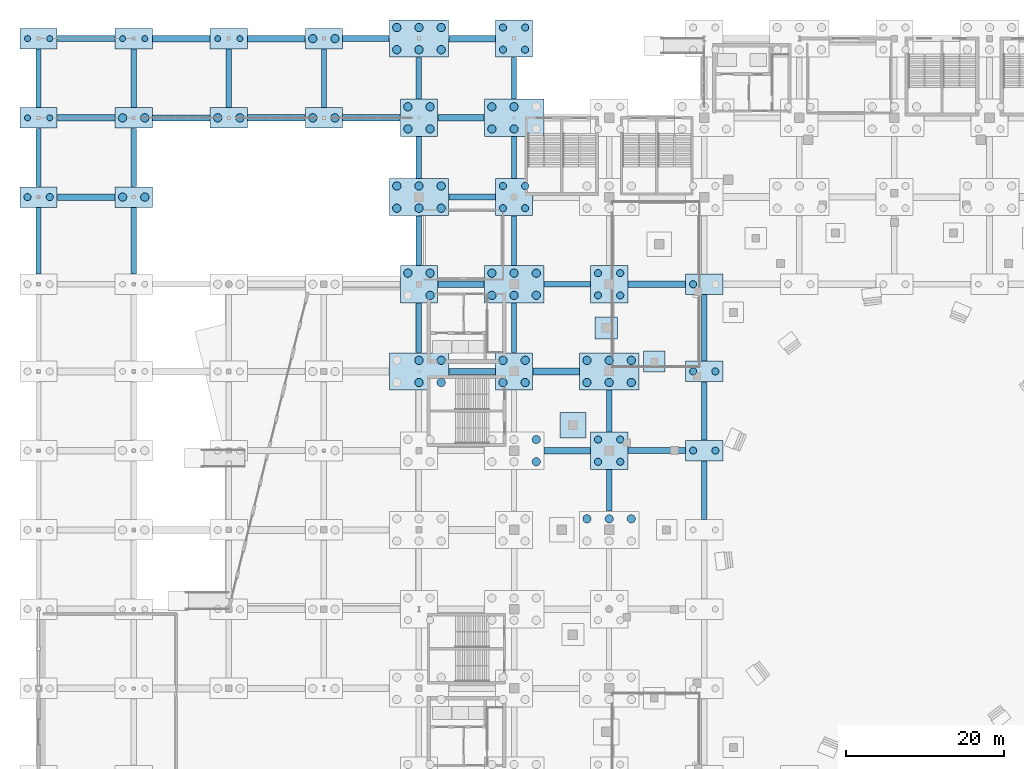
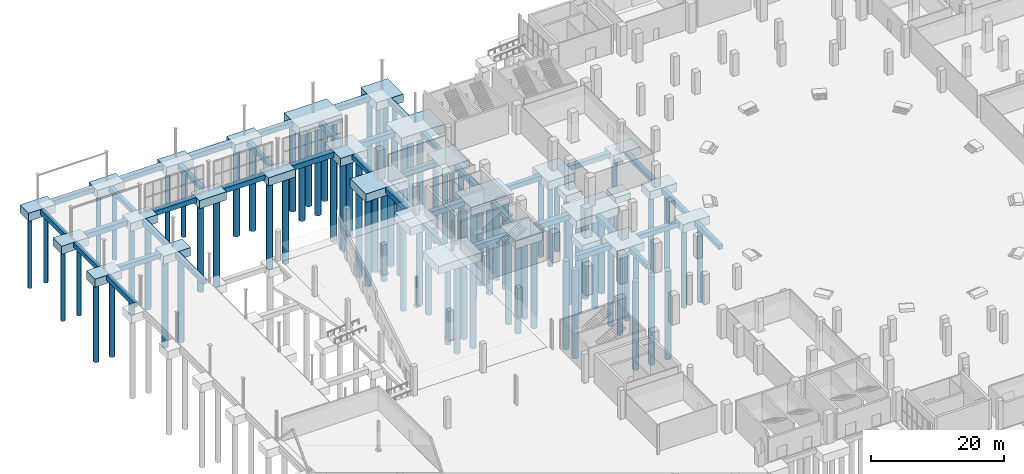
# One storey, part 4 of 70: 89 piles, 69 footings.
"""IFC4 building model written with IfcOpenShell, lengths in metres."""

from ifc_helpers import new_model, si_unit, direction, frame, origin, origin_2d, place, context, subcontext, project, spatial, rectangle, circle, extrude, material, layer, layer_set, material_profile, profile_set, type_object, element, save


model = new_model("IFC4")

# Units and contexts
model_context = context("Model", 3, precision=1e-05, world=origin(), true_north=direction((0.0, 1.0)))
body_context = subcontext(model_context, "Body", "Model", "MODEL_VIEW")
ifc_project = project(units=[si_unit("LENGTHUNIT", "METRE"), si_unit("AREAUNIT", "SQUARE_METRE"), si_unit("VOLUMEUNIT", "CUBIC_METRE"), si_unit("PLANEANGLEUNIT", "RADIAN"), si_unit("MASSUNIT", "GRAM", prefix="KILO")], contexts=[model_context])

# Site, building, storey
site_placement = place(None, origin())
site = spatial("IfcSite", under=ifc_project, at=site_placement, CompositionType="ELEMENT")
building_placement = place(site_placement, origin())
building = spatial("IfcBuilding", under=site, at=building_placement, Name="Brinegate Civic Arena", CompositionType="ELEMENT")
storey_placement = place(building_placement, origin())
storey = spatial("IfcBuildingStorey", under=building, at=storey_placement, Name="L00", CompositionType="ELEMENT", Elevation=0.0)

# Footings
ifc_material = material(Name="Concrete C40/50", Category="concrete")
ifc_layer_1 = layer(ifc_material, 1.5, Name="Concrete C40/50")
ifc_layer_set_1 = layer_set([ifc_layer_1], Name="Concrete C40/50")
footing_type_1 = type_object("IfcFootingType", Name="CAP-2PILE-3800", PredefinedType="PILE_CAP", material=ifc_layer_set_1)
for number, where, z_axis, x_axis, name in (
    (1, (0.0, 104.0, -1.800048828125), (0.0, 0.0, 1.0), (1.0, 0.0, 0.0), "Pile Cap CAP-011 (1-L)"),
    (2, (0.0, 114.0, -1.800048828125), (0.0, 0.0, 1.0), (1.0, 0.0, 0.0), "Pile Cap CAP-012 (1-M)"),
    (3, (0.0, 124.0, -1.800048828125), (0.0, 0.0, 1.0), (1.0, 0.0, 0.0), "Pile Cap CAP-013 (1-N)"),
    (4, (12.0, 104.0, -1.800048828125), (0.0, 0.0, 1.0), (1.0, 0.0, 0.0), "Pile Cap CAP-024 (2-L)"),
    (5, (12.0, 114.0, -1.800048828125), (0.0, 0.0, 1.0), (1.0, 0.0, 0.0), "Pile Cap CAP-025 (2-M)"),
    (6, (12.0, 124.0, -1.800048828125), (0.0, 0.0, 1.0), (1.0, 0.0, 0.0), "Pile Cap CAP-026 (2-N)"),
    (7, (24.0, 114.0, -1.800048828125), (0.0, 0.0, 1.0), (1.0, 0.0, 0.0), "Pile Cap CAP-035 (3-M)"),
    (8, (24.0, 124.0, -1.800048828125), (0.0, 0.0, 1.0), (1.0, 0.0, 0.0), "Pile Cap CAP-036 (3-N)"),
    (9, (36.0, 114.0, -1.800048828125), (0.0, 0.0, 1.0), (1.0, 0.0, 0.0), "Pile Cap CAP-045 (4-M)"),
    (10, (36.0, 124.0, -1.800048828125), (0.0, 0.0, 1.0), (1.0, 0.0, 0.0), "Pile Cap CAP-046 (4-N)"),
    (11, (84.0, 72.0, -1.800048828125), (0.0, 0.0, 1.0), (1.0, 0.0, 0.0), "Pile Cap CAP-091 (8-H)"),
    (12, (84.0, 82.0, -1.800048828125), (0.0, 0.0, 1.0), (1.0, 0.0, 0.0), "Pile Cap CAP-092 (8-J)"),
    (13, (84.0, 93.0, -1.800048828125), (0.0, 0.0, 1.0), (1.0, 0.0, 0.0), "Pile Cap CAP-093 (8-K)"),
):
    element("IfcFooting", number, at=place(storey_placement, frame(where, z_axis=z_axis, x_axis=x_axis)), inside=storey, type_object=footing_type_1, Name=name, PredefinedType="PILE_CAP", context=body_context, shape_type="SweptSolid", body=[
        extrude(rectangle(XDim=4.699951171875, YDim=2.60009765625, at=origin_2d()), origin(), (0.0, 0.0, 1.0), 1.5),
    ])
ifc_layer_2 = layer(ifc_material, 1.5, Name="Concrete C40/50")
ifc_layer_set_2 = layer_set([ifc_layer_2], Name="Concrete C40/50")
footing_type_2 = type_object("IfcFootingType", Name="CAP-4PILE-3800", PredefinedType="PILE_CAP", material=ifc_layer_set_2)
for number, where, z_axis, x_axis, name in (
    (14, (48.0, 93.0, -1.800048828125), (0.0, 0.0, 1.0), (1.0, 0.0, 0.0), "Pile Cap CAP-056 (5-K)"),
    (15, (48.0, 114.0, -1.800048828125), (0.0, 0.0, 1.0), (1.0, 0.0, 0.0), "Pile Cap CAP-058 (5-M)"),
    (16, (60.0, 82.0, -1.800048828125), (0.0, 0.0, 1.0), (1.0, 0.0, 0.0), "Pile Cap CAP-068 (6-J)"),
    (17, (60.0, 104.0, -1.800048828125), (0.0, 0.0, 1.0), (1.0, 0.0, 0.0), "Pile Cap CAP-070 (6-L)"),
    (18, (60.0, 124.0, -1.800048828125), (0.0, 0.0, 1.0), (1.0, 0.0, 0.0), "Pile Cap CAP-072 (6-N)"),
    (19, (72.0, 72.0, -1.800048828125), (0.0, 0.0, 1.0), (1.0, 0.0, 0.0), "Pile Cap CAP-079 (7-H)"),
    (20, (72.0, 93.0, -1.800048828125), (0.0, 0.0, 1.0), (1.0, 0.0, 0.0), "Pile Cap CAP-081 (7-K)"),
):
    element("IfcFooting", number, at=place(storey_placement, frame(where, z_axis=z_axis, x_axis=x_axis)), inside=storey, type_object=footing_type_2, Name=name, PredefinedType="PILE_CAP", context=body_context, shape_type="SweptSolid", body=[
        extrude(rectangle(XDim=4.699951171875, YDim=4.699951171875, at=origin_2d()), origin(), (0.0, 0.0, 1.0), 1.5),
    ])
ifc_layer_3 = layer(ifc_material, 1.5, Name="Concrete C40/50")
ifc_layer_set_3 = layer_set([ifc_layer_3], Name="Concrete C40/50")
footing_type_3 = type_object("IfcFootingType", Name="CAP-6PILE-5400", PredefinedType="PILE_CAP", material=ifc_layer_set_3)
for number, where, z_axis, x_axis, name in (
    (21, (48.0, 82.0, -1.800048828125), (0.0, 0.0, 1.0), (1.0, 0.0, 0.0), "Pile Cap CAP-055 (5-J)"),
    (22, (48.0, 104.0, -1.800048828125), (0.0, 0.0, 1.0), (1.0, 0.0, 0.0), "Pile Cap CAP-057 (5-L)"),
    (23, (48.0, 124.0, -1.800048828125), (0.0, 0.0, 1.0), (1.0, 0.0, 0.0), "Pile Cap CAP-059 (5-N)"),
    (24, (60.0, 93.0, -1.800048828125), (0.0, 0.0, 1.0), (1.0, 0.0, 0.0), "Pile Cap CAP-069 (6-K)"),
    (25, (60.0, 114.0, -1.800048828125), (0.0, 0.0, 1.0), (1.0, 0.0, 0.0), "Pile Cap CAP-071 (6-M)"),
    (26, (72.0, 82.0, -1.800048828125), (0.0, 0.0, 1.0), (1.0, 0.0, 0.0), "Pile Cap CAP-080 (7-J)"),
):
    element("IfcFooting", number, at=place(storey_placement, frame(where, z_axis=z_axis, x_axis=x_axis)), inside=storey, type_object=footing_type_3, Name=name, PredefinedType="PILE_CAP", context=body_context, shape_type="SweptSolid", body=[
        extrude(rectangle(XDim=7.5, YDim=4.699951171875, at=origin_2d()), origin(), (0.0, 0.0, 1.0), 1.5),
    ])
ifc_layer_4 = layer(ifc_material, 1.199951171875, Name="Concrete C40/50")
ifc_layer_set_4 = layer_set([ifc_layer_4], Name="Concrete C40/50")
footing_type_4 = type_object("IfcFootingType", Name="PAD-FOOT-2700", PredefinedType="PAD_FOOTING", material=ifc_layer_set_4)
footing_1_placement = place(storey_placement, frame((77.68896484375, 83.25, -1.5), z_axis=(0.0, 0.0, 1.0), x_axis=(1.0, 0.0, 0.0)))
element("IfcFooting", 27, at=footing_1_placement, inside=storey, type_object=footing_type_4, Name="Pad Footing PAD-014", PredefinedType="PAD_FOOTING", context=body_context, shape_type="SweptSolid", body=[
    extrude(rectangle(XDim=2.699951171875, YDim=2.699951171875, at=origin_2d()), origin(), (0.0, 0.0, 1.0), 1.199951171875),
])
ifc_layer_5 = layer(ifc_material, 1.199951171875, Name="Concrete C40/50")
ifc_layer_set_5 = layer_set([ifc_layer_5], Name="Concrete C40/50")
footing_type_5 = type_object("IfcFootingType", Name="PAD-FOOT-2800", PredefinedType="PAD_FOOTING", material=ifc_layer_set_5)
footing_2_placement = place(storey_placement, frame((71.626953125, 87.5, -1.5), z_axis=(0.0, 0.0, 1.0), x_axis=(1.0, 0.0, 0.0)))
element("IfcFooting", 28, at=footing_2_placement, inside=storey, type_object=footing_type_5, Name="Pad Footing PAD-024", PredefinedType="PAD_FOOTING", context=body_context, shape_type="SweptSolid", body=[
    extrude(rectangle(XDim=2.800048828125, YDim=2.800048828125, at=origin_2d()), origin(), (0.0, 0.0, 1.0), 1.199951171875),
])
ifc_layer_6 = layer(ifc_material, 1.35009765625, Name="Concrete C40/50")
ifc_layer_set_6 = layer_set([ifc_layer_6], Name="Concrete C40/50")
footing_type_6 = type_object("IfcFootingType", Name="PAD-FOOT-3250", PredefinedType="PAD_FOOTING", material=ifc_layer_set_6)
footing_3_placement = place(storey_placement, frame((67.430908203125, 75.199951171875, -1.650146484375), z_axis=(0.0, 0.0, 1.0), x_axis=(1.0, 0.0, 0.0)))
element("IfcFooting", 29, at=footing_3_placement, inside=storey, type_object=footing_type_6, Name="Pad Footing PAD-025", PredefinedType="PAD_FOOTING", context=body_context, shape_type="SweptSolid", body=[
    extrude(rectangle(XDim=3.25, YDim=3.25, at=origin_2d()), origin(), (0.0, 0.0, 1.0), 1.35009765625),
])

# Piles
ifc_material_profile_1 = material_profile(ifc_material, circle(Radius=0.52490234375, at=origin_2d()), Name="PILED1050")
ifc_profile_set_1 = profile_set([ifc_material_profile_1], Name="Concrete C40/50")
pile_type_1 = type_object("IfcPileType", Name="PILE-BORED-1050", PredefinedType="BORED", material=ifc_profile_set_1)
for number, where, z_axis, x_axis, name in (
    (30, (10.60009765625, 104.0, -1.699951171875), (0.0, 0.0, -1.0), (1.0, 0.0, 0.0), "Bored Socket Pile PIL-0047"),
    (31, (13.39990234375, 104.0, -1.699951171875), (0.0, 0.0, -1.0), (1.0, 0.0, 0.0), "Bored Socket Pile PIL-0048"),
    (32, (10.60009765625, 114.0, -1.699951171875), (0.0, 0.0, -1.0), (1.0, 0.0, 0.0), "Bored Socket Pile PIL-0049"),
    (33, (13.39990234375, 114.0, -1.699951171875), (0.0, 0.0, -1.0), (1.0, 0.0, 0.0), "Bored Socket Pile PIL-0050"),
    (34, (22.60009765625, 114.0, -1.699951171875), (0.0, 0.0, -1.0), (1.0, 0.0, 0.0), "Bored Socket Pile PIL-0069"),
    (35, (25.39990234375, 114.0, -1.699951171875), (0.0, 0.0, -1.0), (1.0, 0.0, 0.0), "Bored Socket Pile PIL-0070"),
    (36, (34.60009765625, 114.0, -1.699951171875), (0.0, 0.0, -1.0), (1.0, 0.0, 0.0), "Bored Socket Pile PIL-0089"),
    (37, (37.39990234375, 114.0, -1.699951171875), (0.0, 0.0, -1.0), (1.0, 0.0, 0.0), "Bored Socket Pile PIL-0090"),
    (38, (34.60009765625, 124.0, -1.699951171875), (0.0, 0.0, -1.0), (1.0, 0.0, 0.0), "Bored Socket Pile PIL-0091"),
    (39, (37.39990234375, 124.0, -1.699951171875), (0.0, 0.0, -1.0), (1.0, 0.0, 0.0), "Bored Socket Pile PIL-0092"),
    (40, (48.0, 80.60009765625, -1.699951171875), (0.0, 0.0, -1.0), (1.0, 0.0, 0.0), "Bored Socket Pile PIL-0134"),
    (41, (50.800048828125, 80.60009765625, -1.699951171875), (0.0, 0.0, -1.0), (1.0, 0.0, 0.0), "Bored Socket Pile PIL-0135"),
    (42, (48.0, 83.39990234375, -1.699951171875), (0.0, 0.0, -1.0), (1.0, 0.0, 0.0), "Bored Socket Pile PIL-0137"),
    (43, (50.800048828125, 83.39990234375, -1.699951171875), (0.0, 0.0, -1.0), (1.0, 0.0, 0.0), "Bored Socket Pile PIL-0138"),
    (44, (49.39990234375, 91.60009765625, -1.699951171875), (0.0, 0.0, -1.0), (1.0, 0.0, 0.0), "Bored Socket Pile PIL-0140"),
    (45, (46.60009765625, 94.39990234375, -1.699951171875), (0.0, 0.0, -1.0), (1.0, 0.0, 0.0), "Bored Socket Pile PIL-0141"),
    (46, (49.39990234375, 94.39990234375, -1.699951171875), (0.0, 0.0, -1.0), (1.0, 0.0, 0.0), "Bored Socket Pile PIL-0142"),
    (47, (45.199951171875, 102.60009765625, -1.699951171875), (0.0, 0.0, -1.0), (1.0, 0.0, 0.0), "Bored Socket Pile PIL-0143"),
    (48, (48.0, 102.60009765625, -1.699951171875), (0.0, 0.0, -1.0), (1.0, 0.0, 0.0), "Bored Socket Pile PIL-0144"),
    (49, (50.800048828125, 102.60009765625, -1.699951171875), (0.0, 0.0, -1.0), (1.0, 0.0, 0.0), "Bored Socket Pile PIL-0145"),
    (50, (45.199951171875, 105.39990234375, -1.699951171875), (0.0, 0.0, -1.0), (1.0, 0.0, 0.0), "Bored Socket Pile PIL-0146"),
    (51, (48.0, 105.39990234375, -1.699951171875), (0.0, 0.0, -1.0), (1.0, 0.0, 0.0), "Bored Socket Pile PIL-0147"),
    (52, (50.800048828125, 105.39990234375, -1.699951171875), (0.0, 0.0, -1.0), (1.0, 0.0, 0.0), "Bored Socket Pile PIL-0148"),
    (53, (46.60009765625, 112.60009765625, -1.699951171875), (0.0, 0.0, -1.0), (1.0, 0.0, 0.0), "Bored Socket Pile PIL-0149"),
    (54, (49.39990234375, 112.60009765625, -1.699951171875), (0.0, 0.0, -1.0), (1.0, 0.0, 0.0), "Bored Socket Pile PIL-0150"),
    (55, (46.60009765625, 115.39990234375, -1.699951171875), (0.0, 0.0, -1.0), (1.0, 0.0, 0.0), "Bored Socket Pile PIL-0151"),
    (56, (49.39990234375, 115.39990234375, -1.699951171875), (0.0, 0.0, -1.0), (1.0, 0.0, 0.0), "Bored Socket Pile PIL-0152"),
    (57, (45.199951171875, 122.60009765625, -1.699951171875), (0.0, 0.0, -1.0), (1.0, 0.0, 0.0), "Bored Socket Pile PIL-0153"),
    (58, (48.0, 122.60009765625, -1.699951171875), (0.0, 0.0, -1.0), (1.0, 0.0, 0.0), "Bored Socket Pile PIL-0154"),
    (59, (50.800048828125, 122.60009765625, -1.699951171875), (0.0, 0.0, -1.0), (1.0, 0.0, 0.0), "Bored Socket Pile PIL-0155"),
    (60, (45.199951171875, 125.39990234375, -1.699951171875), (0.0, 0.0, -1.0), (1.0, 0.0, 0.0), "Bored Socket Pile PIL-0156"),
    (61, (48.0, 125.39990234375, -1.699951171875), (0.0, 0.0, -1.0), (1.0, 0.0, 0.0), "Bored Socket Pile PIL-0157"),
    (62, (50.800048828125, 125.39990234375, -1.699951171875), (0.0, 0.0, -1.0), (1.0, 0.0, 0.0), "Bored Socket Pile PIL-0158"),
    (63, (62.800048828125, 70.60009765625, -1.699951171875), (0.0, 0.0, -1.0), (1.0, 0.0, 0.0), "Bored Socket Pile PIL-0195"),
    (64, (62.800048828125, 73.39990234375, -1.699951171875), (0.0, 0.0, -1.0), (1.0, 0.0, 0.0), "Bored Socket Pile PIL-0198"),
    (65, (58.60009765625, 80.60009765625, -1.699951171875), (0.0, 0.0, -1.0), (1.0, 0.0, 0.0), "Bored Socket Pile PIL-0199"),
    (66, (61.39990234375, 80.60009765625, -1.699951171875), (0.0, 0.0, -1.0), (1.0, 0.0, 0.0), "Bored Socket Pile PIL-0200"),
    (67, (58.60009765625, 83.39990234375, -1.699951171875), (0.0, 0.0, -1.0), (1.0, 0.0, 0.0), "Bored Socket Pile PIL-0201"),
    (68, (61.39990234375, 83.39990234375, -1.699951171875), (0.0, 0.0, -1.0), (1.0, 0.0, 0.0), "Bored Socket Pile PIL-0202"),
    (69, (57.199951171875, 91.60009765625, -1.699951171875), (0.0, 0.0, -1.0), (1.0, 0.0, 0.0), "Bored Socket Pile PIL-0203"),
    (70, (60.0, 91.60009765625, -1.699951171875), (0.0, 0.0, -1.0), (1.0, 0.0, 0.0), "Bored Socket Pile PIL-0204"),
    (71, (62.800048828125, 91.60009765625, -1.699951171875), (0.0, 0.0, -1.0), (1.0, 0.0, 0.0), "Bored Socket Pile PIL-0205"),
    (72, (57.199951171875, 94.39990234375, -1.699951171875), (0.0, 0.0, -1.0), (1.0, 0.0, 0.0), "Bored Socket Pile PIL-0206"),
    (73, (60.0, 94.39990234375, -1.699951171875), (0.0, 0.0, -1.0), (1.0, 0.0, 0.0), "Bored Socket Pile PIL-0207"),
    (74, (62.800048828125, 94.39990234375, -1.699951171875), (0.0, 0.0, -1.0), (1.0, 0.0, 0.0), "Bored Socket Pile PIL-0208"),
    (75, (57.199951171875, 112.60009765625, -1.699951171875), (0.0, 0.0, -1.0), (1.0, 0.0, 0.0), "Bored Socket Pile PIL-0213"),
    (76, (60.0, 112.60009765625, -1.699951171875), (0.0, 0.0, -1.0), (1.0, 0.0, 0.0), "Bored Socket Pile PIL-0214"),
    (77, (57.199951171875, 115.39990234375, -1.699951171875), (0.0, 0.0, -1.0), (1.0, 0.0, 0.0), "Bored Socket Pile PIL-0216"),
    (78, (60.0, 115.39990234375, -1.699951171875), (0.0, 0.0, -1.0), (1.0, 0.0, 0.0), "Bored Socket Pile PIL-0217"),
    (79, (69.199951171875, 63.39990234375, -1.699951171875), (0.0, 0.0, -1.0), (1.0, 0.0, 0.0), "Bored Socket Pile PIL-0250"),
    (80, (72.0, 63.39990234375, -1.699951171875), (0.0, 0.0, -1.0), (1.0, 0.0, 0.0), "Bored Socket Pile PIL-0251"),
    (81, (74.800048828125, 63.39990234375, -1.699951171875), (0.0, 0.0, -1.0), (1.0, 0.0, 0.0), "Bored Socket Pile PIL-0252"),
    (82, (69.199951171875, 80.60009765625, -1.699951171875), (0.0, 0.0, -1.0), (1.0, 0.0, 0.0), "Bored Socket Pile PIL-0257"),
    (83, (72.0, 80.60009765625, -1.699951171875), (0.0, 0.0, -1.0), (1.0, 0.0, 0.0), "Bored Socket Pile PIL-0258"),
    (84, (74.800048828125, 80.60009765625, -1.699951171875), (0.0, 0.0, -1.0), (1.0, 0.0, 0.0), "Bored Socket Pile PIL-0259"),
    (85, (69.199951171875, 83.39990234375, -1.699951171875), (0.0, 0.0, -1.0), (1.0, 0.0, 0.0), "Bored Socket Pile PIL-0260"),
    (86, (72.0, 83.39990234375, -1.699951171875), (0.0, 0.0, -1.0), (1.0, 0.0, 0.0), "Bored Socket Pile PIL-0261"),
    (87, (74.800048828125, 83.39990234375, -1.699951171875), (0.0, 0.0, -1.0), (1.0, 0.0, 0.0), "Bored Socket Pile PIL-0262"),
):
    element("IfcPile", number, at=place(storey_placement, frame(where, z_axis=z_axis, x_axis=x_axis)), inside=storey, type_object=pile_type_1, Name=name, PredefinedType="BORED", context=body_context, shape_type="SweptSolid", body=[
        extrude(circle(Radius=0.52490234375, at=origin_2d()), origin(), (0.0, 0.0, 1.0), 16.300048828125),
    ])
ifc_material_profile_2 = material_profile(ifc_material, circle(Radius=0.375, at=origin_2d()), Name="PILED750")
ifc_profile_set_2 = profile_set([ifc_material_profile_2], Name="Concrete C40/50")
pile_type_2 = type_object("IfcPileType", Name="PILE-BORED-750", PredefinedType="BORED", material=ifc_profile_set_2)
for number, where, z_axis, x_axis, name in (
    (88, (-1.39990234375, 114.0, -1.699951171875), (0.0, 0.0, -1.0), (1.0, 0.0, 0.0), "Bored Socket Pile PIL-0023"),
    (89, (1.39990234375, 114.0, -1.699951171875), (0.0, 0.0, -1.0), (1.0, 0.0, 0.0), "Bored Socket Pile PIL-0024"),
    (90, (-1.39990234375, 124.0, -1.699951171875), (0.0, 0.0, -1.0), (1.0, 0.0, 0.0), "Bored Socket Pile PIL-0025"),
    (91, (1.39990234375, 124.0, -1.699951171875), (0.0, 0.0, -1.0), (1.0, 0.0, 0.0), "Bored Socket Pile PIL-0026"),
    (92, (10.60009765625, 124.0, -1.699951171875), (0.0, 0.0, -1.0), (1.0, 0.0, 0.0), "Bored Socket Pile PIL-0051"),
    (93, (13.39990234375, 124.0, -1.699951171875), (0.0, 0.0, -1.0), (1.0, 0.0, 0.0), "Bored Socket Pile PIL-0052"),
    (94, (22.60009765625, 124.0, -1.699951171875), (0.0, 0.0, -1.0), (1.0, 0.0, 0.0), "Bored Socket Pile PIL-0071"),
    (95, (25.39990234375, 124.0, -1.699951171875), (0.0, 0.0, -1.0), (1.0, 0.0, 0.0), "Bored Socket Pile PIL-0072"),
):
    element("IfcPile", number, at=place(storey_placement, frame(where, z_axis=z_axis, x_axis=x_axis)), inside=storey, type_object=pile_type_2, Name=name, PredefinedType="BORED", context=body_context, shape_type="SweptSolid", body=[
        extrude(circle(Radius=0.375, at=origin_2d()), origin(), (0.0, 0.0, 1.0), 13.300048828125),
    ])
ifc_material_profile_3 = material_profile(ifc_material, circle(Radius=0.449951171875, at=origin_2d()), Name="PILED900")
ifc_profile_set_3 = profile_set([ifc_material_profile_3], Name="Concrete C40/50")
pile_type_3 = type_object("IfcPileType", Name="PILE-BORED-900", PredefinedType="BORED", material=ifc_profile_set_3)
for number, where, z_axis, x_axis, name in (
    (96, (-1.39990234375, 104.0, -1.699951171875), (0.0, 0.0, -1.0), (1.0, 0.0, 0.0), "Bored Socket Pile PIL-0021"),
    (97, (1.39990234375, 104.0, -1.699951171875), (0.0, 0.0, -1.0), (1.0, 0.0, 0.0), "Bored Socket Pile PIL-0022"),
    (98, (58.60009765625, 102.60009765625, -1.699951171875), (0.0, 0.0, -1.0), (1.0, 0.0, 0.0), "Bored Socket Pile PIL-0209"),
    (99, (61.39990234375, 102.60009765625, -1.699951171875), (0.0, 0.0, -1.0), (1.0, 0.0, 0.0), "Bored Socket Pile PIL-0210"),
    (100, (58.60009765625, 105.39990234375, -1.699951171875), (0.0, 0.0, -1.0), (1.0, 0.0, 0.0), "Bored Socket Pile PIL-0211"),
    (101, (61.39990234375, 105.39990234375, -1.699951171875), (0.0, 0.0, -1.0), (1.0, 0.0, 0.0), "Bored Socket Pile PIL-0212"),
    (102, (58.60009765625, 122.60009765625, -1.699951171875), (0.0, 0.0, -1.0), (1.0, 0.0, 0.0), "Bored Socket Pile PIL-0219"),
    (103, (61.39990234375, 122.60009765625, -1.699951171875), (0.0, 0.0, -1.0), (1.0, 0.0, 0.0), "Bored Socket Pile PIL-0220"),
    (104, (58.60009765625, 125.39990234375, -1.699951171875), (0.0, 0.0, -1.0), (1.0, 0.0, 0.0), "Bored Socket Pile PIL-0221"),
    (105, (61.39990234375, 125.39990234375, -1.699951171875), (0.0, 0.0, -1.0), (1.0, 0.0, 0.0), "Bored Socket Pile PIL-0222"),
    (106, (70.60009765625, 70.60009765625, -1.699951171875), (0.0, 0.0, -1.0), (1.0, 0.0, 0.0), "Bored Socket Pile PIL-0253"),
    (107, (73.39990234375, 70.60009765625, -1.699951171875), (0.0, 0.0, -1.0), (1.0, 0.0, 0.0), "Bored Socket Pile PIL-0254"),
    (108, (70.60009765625, 73.39990234375, -1.699951171875), (0.0, 0.0, -1.0), (1.0, 0.0, 0.0), "Bored Socket Pile PIL-0255"),
    (109, (73.39990234375, 73.39990234375, -1.699951171875), (0.0, 0.0, -1.0), (1.0, 0.0, 0.0), "Bored Socket Pile PIL-0256"),
    (110, (70.60009765625, 91.60009765625, -1.699951171875), (0.0, 0.0, -1.0), (1.0, 0.0, 0.0), "Bored Socket Pile PIL-0263"),
    (111, (73.39990234375, 91.60009765625, -1.699951171875), (0.0, 0.0, -1.0), (1.0, 0.0, 0.0), "Bored Socket Pile PIL-0264"),
    (112, (70.60009765625, 94.39990234375, -1.699951171875), (0.0, 0.0, -1.0), (1.0, 0.0, 0.0), "Bored Socket Pile PIL-0265"),
    (113, (73.39990234375, 94.39990234375, -1.699951171875), (0.0, 0.0, -1.0), (1.0, 0.0, 0.0), "Bored Socket Pile PIL-0266"),
    (114, (82.60009765625, 72.0, -1.699951171875), (0.0, 0.0, -1.0), (1.0, 0.0, 0.0), "Bored Socket Pile PIL-0299"),
    (115, (85.39990234375, 72.0, -1.699951171875), (0.0, 0.0, -1.0), (1.0, 0.0, 0.0), "Bored Socket Pile PIL-0300"),
    (116, (82.60009765625, 82.0, -1.699951171875), (0.0, 0.0, -1.0), (1.0, 0.0, 0.0), "Bored Socket Pile PIL-0301"),
    (117, (85.39990234375, 82.0, -1.699951171875), (0.0, 0.0, -1.0), (1.0, 0.0, 0.0), "Bored Socket Pile PIL-0302"),
    (118, (82.60009765625, 93.0, -1.699951171875), (0.0, 0.0, -1.0), (1.0, 0.0, 0.0), "Bored Socket Pile PIL-0303"),
):
    element("IfcPile", number, at=place(storey_placement, frame(where, z_axis=z_axis, x_axis=x_axis)), inside=storey, type_object=pile_type_3, Name=name, PredefinedType="BORED", context=body_context, shape_type="SweptSolid", body=[
        extrude(circle(Radius=0.449951171875, at=origin_2d()), origin(), (0.0, 0.0, 1.0), 14.800048828125),
    ])

# Footings
ifc_layer_7 = layer(ifc_material, 0.89990234375, Name="Concrete C40/50")
ifc_layer_set_7 = layer_set([ifc_layer_7], Name="Concrete C40/50")
footing_type_7 = type_object("IfcFootingType", Name="TIE-BEAM-650X900", PredefinedType="FOOTING_BEAM", material=ifc_layer_set_7)
footing_4_placement = place(storey_placement, frame((0.0, 98.5, -1.199951171875), z_axis=(0.0, 0.0, 1.0), x_axis=(0.0, 1.0, 0.0)))
element("IfcFooting", 119, at=footing_4_placement, inside=storey, type_object=footing_type_7, Name="Ground Tie Beam GTB-020", PredefinedType="FOOTING_BEAM", context=body_context, shape_type="SweptSolid", body=[
    extrude(rectangle(XDim=8.360107421875, YDim=0.64990234375, at=origin_2d()), origin(), (0.0, 0.0, 1.0), 0.89990234375),
])
for number, where, z_axis, x_axis, name in (
    (120, (0.0, 109.0, -1.199951171875), (0.0, 0.0, 1.0), (0.0, 1.0, 0.0), "Ground Tie Beam GTB-022"),
    (121, (0.0, 119.0, -1.199951171875), (0.0, 0.0, 1.0), (0.0, 1.0, 0.0), "Ground Tie Beam GTB-024"),
    (122, (12.0, 109.0, -1.199951171875), (0.0, 0.0, 1.0), (0.0, 1.0, 0.0), "Ground Tie Beam GTB-042"),
    (123, (12.0, 119.0, -1.199951171875), (0.0, 0.0, 1.0), (0.0, 1.0, 0.0), "Ground Tie Beam GTB-044"),
    (124, (36.0, 119.0, -1.199951171875), (0.0, 0.0, 1.0), (0.0, 1.0, 0.0), "Ground Tie Beam GTB-078"),
):
    element("IfcFooting", number, at=place(storey_placement, frame(where, z_axis=z_axis, x_axis=x_axis)), inside=storey, type_object=footing_type_7, Name=name, PredefinedType="FOOTING_BEAM", context=body_context, shape_type="SweptSolid", body=[
        extrude(rectangle(XDim=7.360107421875, YDim=0.64990234375, at=origin_2d()), origin(), (0.0, 0.0, 1.0), 0.89990234375),
    ])
for number, where, z_axis, x_axis, name in (
    (125, (60.0, 87.5, -1.199951171875), (0.0, 0.0, 1.0), (0.0, 1.0, 0.0), "Ground Tie Beam GTB-120"),
    (126, (60.0, 98.5, -1.199951171875), (0.0, 0.0, 1.0), (0.0, 1.0, 0.0), "Ground Tie Beam GTB-122"),
):
    element("IfcFooting", number, at=place(storey_placement, frame(where, z_axis=z_axis, x_axis=x_axis)), inside=storey, type_object=footing_type_7, Name=name, PredefinedType="FOOTING_BEAM", context=body_context, shape_type="SweptSolid", body=[
        extrude(rectangle(XDim=6.260009765625, YDim=0.64990234375, at=origin_2d()), origin(), (0.0, 0.0, 1.0), 0.89990234375),
    ])
for number, where, z_axis, x_axis, name in (
    (127, (60.0, 109.0, -1.199951171875), (0.0, 0.0, 1.0), (0.0, 1.0, 0.0), "Ground Tie Beam GTB-124"),
    (128, (60.0, 119.0, -1.199951171875), (0.0, 0.0, 1.0), (0.0, 1.0, 0.0), "Ground Tie Beam GTB-126"),
):
    element("IfcFooting", number, at=place(storey_placement, frame(where, z_axis=z_axis, x_axis=x_axis)), inside=storey, type_object=footing_type_7, Name=name, PredefinedType="FOOTING_BEAM", context=body_context, shape_type="SweptSolid", body=[
        extrude(rectangle(XDim=5.260009765625, YDim=0.64990234375, at=origin_2d()), origin(), (0.0, 0.0, 1.0), 0.89990234375),
    ])
footing_5_placement = place(storey_placement, frame((84.0, 77.0, -1.199951171875), z_axis=(0.0, 0.0, 1.0), x_axis=(0.0, 1.0, 0.0)))
element("IfcFooting", 129, at=footing_5_placement, inside=storey, type_object=footing_type_7, Name="Ground Tie Beam GTB-154", PredefinedType="FOOTING_BEAM", context=body_context, shape_type="SweptSolid", body=[
    extrude(rectangle(XDim=7.360107421875, YDim=0.64990234375, at=origin_2d()), origin(), (0.0, 0.0, 1.0), 0.89990234375),
])
ifc_layer_8 = layer(ifc_material, 0.85009765625, Name="Concrete C40/50")
ifc_layer_set_8 = layer_set([ifc_layer_8], Name="Concrete C40/50")
footing_type_8 = type_object("IfcFootingType", Name="TIE-BEAM-700X850", PredefinedType="FOOTING_BEAM", material=ifc_layer_set_8)
footing_6_placement = place(storey_placement, frame((12.0, 98.5, -1.175048828125), z_axis=(0.0, 0.0, 1.0), x_axis=(0.0, 1.0, 0.0)))
element("IfcFooting", 130, at=footing_6_placement, inside=storey, type_object=footing_type_8, Name="Ground Tie Beam GTB-041", PredefinedType="FOOTING_BEAM", context=body_context, shape_type="SweptSolid", body=[
    extrude(rectangle(XDim=8.360107421875, YDim=0.699951171875, at=origin_2d()), origin(), (0.0, 0.0, 1.0), 0.85009765625),
])
footing_7_placement = place(storey_placement, frame((24.0, 119.0, -1.175048828125), z_axis=(0.0, 0.0, 1.0), x_axis=(0.0, 1.0, 0.0)))
element("IfcFooting", 131, at=footing_7_placement, inside=storey, type_object=footing_type_8, Name="Ground Tie Beam GTB-061", PredefinedType="FOOTING_BEAM", context=body_context, shape_type="SweptSolid", body=[
    extrude(rectangle(XDim=7.360107421875, YDim=0.699951171875, at=origin_2d()), origin(), (0.0, 0.0, 1.0), 0.85009765625),
])
for number, where, z_axis, x_axis, name in (
    (132, (48.0, 87.5, -1.175048828125), (0.0, 0.0, 1.0), (0.0, 1.0, 0.0), "Ground Tie Beam GTB-097"),
    (133, (48.0, 98.5, -1.175048828125), (0.0, 0.0, 1.0), (0.0, 1.0, 0.0), "Ground Tie Beam GTB-099"),
):
    element("IfcFooting", number, at=place(storey_placement, frame(where, z_axis=z_axis, x_axis=x_axis)), inside=storey, type_object=footing_type_8, Name=name, PredefinedType="FOOTING_BEAM", context=body_context, shape_type="SweptSolid", body=[
        extrude(rectangle(XDim=6.260009765625, YDim=0.699951171875, at=origin_2d()), origin(), (0.0, 0.0, 1.0), 0.85009765625),
    ])
for number, where, z_axis, x_axis, name in (
    (134, (48.0, 109.0, -1.175048828125), (0.0, 0.0, 1.0), (0.0, 1.0, 0.0), "Ground Tie Beam GTB-101"),
    (135, (48.0, 119.0, -1.175048828125), (0.0, 0.0, 1.0), (0.0, 1.0, 0.0), "Ground Tie Beam GTB-103"),
    (136, (72.0, 67.0, -1.175048828125), (0.0, 0.0, 1.0), (0.0, 1.0, 0.0), "Ground Tie Beam GTB-135"),
    (137, (72.0, 77.0, -1.175048828125), (0.0, 0.0, 1.0), (0.0, 1.0, 0.0), "Ground Tie Beam GTB-137"),
):
    element("IfcFooting", number, at=place(storey_placement, frame(where, z_axis=z_axis, x_axis=x_axis)), inside=storey, type_object=footing_type_8, Name=name, PredefinedType="FOOTING_BEAM", context=body_context, shape_type="SweptSolid", body=[
        extrude(rectangle(XDim=5.260009765625, YDim=0.699951171875, at=origin_2d()), origin(), (0.0, 0.0, 1.0), 0.85009765625),
    ])
footing_8_placement = place(storey_placement, frame((84.0, 67.0, -1.175048828125), z_axis=(0.0, 0.0, 1.0), x_axis=(0.0, 1.0, 0.0)))
element("IfcFooting", 138, at=footing_8_placement, inside=storey, type_object=footing_type_8, Name="Ground Tie Beam GTB-153", PredefinedType="FOOTING_BEAM", context=body_context, shape_type="SweptSolid", body=[
    extrude(rectangle(XDim=7.360107421875, YDim=0.699951171875, at=origin_2d()), origin(), (0.0, 0.0, 1.0), 0.85009765625),
])
footing_9_placement = place(storey_placement, frame((84.0, 87.5, -1.175048828125), z_axis=(0.0, 0.0, 1.0), x_axis=(0.0, 1.0, 0.0)))
element("IfcFooting", 139, at=footing_9_placement, inside=storey, type_object=footing_type_8, Name="Ground Tie Beam GTB-155", PredefinedType="FOOTING_BEAM", context=body_context, shape_type="SweptSolid", body=[
    extrude(rectangle(XDim=8.360107421875, YDim=0.699951171875, at=origin_2d()), origin(), (0.0, 0.0, 1.0), 0.85009765625),
])
ifc_layer_9 = layer(ifc_material, 0.89990234375, Name="Concrete C40/50")
ifc_layer_set_9 = layer_set([ifc_layer_9], Name="Concrete C40/50")
footing_type_9 = type_object("IfcFootingType", Name="TIE-BEAM-750X900", PredefinedType="FOOTING_BEAM", material=ifc_layer_set_9)
for number, where, z_axis, x_axis, name in (
    (140, (6.0, 124.0, -1.199951171875), (0.0, 0.0, 1.0), (1.0, 0.0, 0.0), "Ground Tie Beam GTB-025"),
    (141, (18.0, 114.0, -1.199951171875), (0.0, 0.0, 1.0), (1.0, 0.0, 0.0), "Ground Tie Beam GTB-043"),
):
    element("IfcFooting", number, at=place(storey_placement, frame(where, z_axis=z_axis, x_axis=x_axis)), inside=storey, type_object=footing_type_9, Name=name, PredefinedType="FOOTING_BEAM", context=body_context, shape_type="SweptSolid", body=[
        extrude(rectangle(XDim=7.260009765625, YDim=0.75, at=origin_2d()), origin(), (0.0, 0.0, 1.0), 0.89990234375),
    ])
for number, where, z_axis, x_axis, name in (
    (142, (41.300048828125, 124.0, -1.199951171875), (0.0, 0.0, 1.0), (1.0, 0.0, 0.0), "Ground Tie Beam GTB-079"),
    (143, (54.699951171875, 104.0, -1.199951171875), (0.0, 0.0, 1.0), (1.0, 0.0, 0.0), "Ground Tie Beam GTB-100"),
    (144, (66.699951171875, 93.0, -1.199951171875), (0.0, 0.0, 1.0), (1.0, 0.0, 0.0), "Ground Tie Beam GTB-121"),
):
    element("IfcFooting", number, at=place(storey_placement, frame(where, z_axis=z_axis, x_axis=x_axis)), inside=storey, type_object=footing_type_9, Name=name, PredefinedType="FOOTING_BEAM", context=body_context, shape_type="SweptSolid", body=[
        extrude(rectangle(XDim=5.860107421875, YDim=0.75, at=origin_2d()), origin(), (0.0, 0.0, 1.0), 0.89990234375),
    ])
footing_10_placement = place(storey_placement, frame((78.0, 72.0, -1.199951171875), z_axis=(0.0, 0.0, 1.0), x_axis=(1.0, 0.0, 0.0)))
element("IfcFooting", 145, at=footing_10_placement, inside=storey, type_object=footing_type_9, Name="Ground Tie Beam GTB-136", PredefinedType="FOOTING_BEAM", context=body_context, shape_type="SweptSolid", body=[
    extrude(rectangle(XDim=7.260009765625, YDim=0.75, at=origin_2d()), origin(), (0.0, 0.0, 1.0), 0.89990234375),
])
ifc_layer_10 = layer(ifc_material, 0.89990234375, Name="Concrete C40/50")
ifc_layer_set_10 = layer_set([ifc_layer_10], Name="Concrete C40/50")
footing_type_10 = type_object("IfcFootingType", Name="TIE-BEAM-800X900", PredefinedType="FOOTING_BEAM", material=ifc_layer_set_10)
for number, where, z_axis, x_axis, name in (
    (146, (6.0, 104.0, -1.199951171875), (0.0, 0.0, 1.0), (1.0, 0.0, 0.0), "Ground Tie Beam GTB-021"),
    (147, (18.0, 124.0, -1.199951171875), (0.0, 0.0, 1.0), (1.0, 0.0, 0.0), "Ground Tie Beam GTB-045"),
    (148, (30.0, 114.0, -1.199951171875), (0.0, 0.0, 1.0), (1.0, 0.0, 0.0), "Ground Tie Beam GTB-060"),
):
    element("IfcFooting", number, at=place(storey_placement, frame(where, z_axis=z_axis, x_axis=x_axis)), inside=storey, type_object=footing_type_10, Name=name, PredefinedType="FOOTING_BEAM", context=body_context, shape_type="SweptSolid", body=[
        extrude(rectangle(XDim=7.260009765625, YDim=0.800048828125, at=origin_2d()), origin(), (0.0, 0.0, 1.0), 0.89990234375),
    ])
for number, where, z_axis, x_axis, name in (
    (149, (54.699951171875, 82.0, -1.199951171875), (0.0, 0.0, 1.0), (1.0, 0.0, 0.0), "Ground Tie Beam GTB-096"),
    (150, (53.300048828125, 114.0, -1.199951171875), (0.0, 0.0, 1.0), (1.0, 0.0, 0.0), "Ground Tie Beam GTB-102"),
    (151, (66.699951171875, 72.0, -1.199951171875), (0.0, 0.0, 1.0), (1.0, 0.0, 0.0), "Ground Tie Beam GTB-117"),
):
    element("IfcFooting", number, at=place(storey_placement, frame(where, z_axis=z_axis, x_axis=x_axis)), inside=storey, type_object=footing_type_10, Name=name, PredefinedType="FOOTING_BEAM", context=body_context, shape_type="SweptSolid", body=[
        extrude(rectangle(XDim=5.860107421875, YDim=0.800048828125, at=origin_2d()), origin(), (0.0, 0.0, 1.0), 0.89990234375),
    ])
footing_11_placement = place(storey_placement, frame((78.0, 93.0, -1.199951171875), z_axis=(0.0, 0.0, 1.0), x_axis=(1.0, 0.0, 0.0)))
element("IfcFooting", 152, at=footing_11_placement, inside=storey, type_object=footing_type_10, Name="Ground Tie Beam GTB-138", PredefinedType="FOOTING_BEAM", context=body_context, shape_type="SweptSolid", body=[
    extrude(rectangle(XDim=7.260009765625, YDim=0.800048828125, at=origin_2d()), origin(), (0.0, 0.0, 1.0), 0.89990234375),
])
ifc_layer_11 = layer(ifc_material, 0.949951171875, Name="Concrete C40/50")
ifc_layer_set_11 = layer_set([ifc_layer_11], Name="Concrete C40/50")
footing_type_11 = type_object("IfcFootingType", Name="TIE-BEAM-850X950", PredefinedType="FOOTING_BEAM", material=ifc_layer_set_11)
for number, where, z_axis, x_axis, name in (
    (153, (6.0, 114.0, -1.22509765625), (0.0, 0.0, 1.0), (1.0, 0.0, 0.0), "Ground Tie Beam GTB-023"),
    (154, (30.0, 124.0, -1.22509765625), (0.0, 0.0, 1.0), (1.0, 0.0, 0.0), "Ground Tie Beam GTB-062"),
    (155, (42.0, 114.0, -1.22509765625), (0.0, 0.0, 1.0), (1.0, 0.0, 0.0), "Ground Tie Beam GTB-077"),
):
    element("IfcFooting", number, at=place(storey_placement, frame(where, z_axis=z_axis, x_axis=x_axis)), inside=storey, type_object=footing_type_11, Name=name, PredefinedType="FOOTING_BEAM", context=body_context, shape_type="SweptSolid", body=[
        extrude(rectangle(XDim=7.260009765625, YDim=0.85009765625, at=origin_2d()), origin(), (0.0, 0.0, 1.0), 0.949951171875),
    ])
for number, where, z_axis, x_axis, name in (
    (156, (53.300048828125, 93.0, -1.22509765625), (0.0, 0.0, 1.0), (1.0, 0.0, 0.0), "Ground Tie Beam GTB-098"),
    (157, (54.699951171875, 124.0, -1.22509765625), (0.0, 0.0, 1.0), (1.0, 0.0, 0.0), "Ground Tie Beam GTB-104"),
    (158, (65.300048828125, 82.0, -1.22509765625), (0.0, 0.0, 1.0), (1.0, 0.0, 0.0), "Ground Tie Beam GTB-119"),
):
    element("IfcFooting", number, at=place(storey_placement, frame(where, z_axis=z_axis, x_axis=x_axis)), inside=storey, type_object=footing_type_11, Name=name, PredefinedType="FOOTING_BEAM", context=body_context, shape_type="SweptSolid", body=[
        extrude(rectangle(XDim=5.860107421875, YDim=0.85009765625, at=origin_2d()), origin(), (0.0, 0.0, 1.0), 0.949951171875),
    ])

save(model, "model.ifc")
